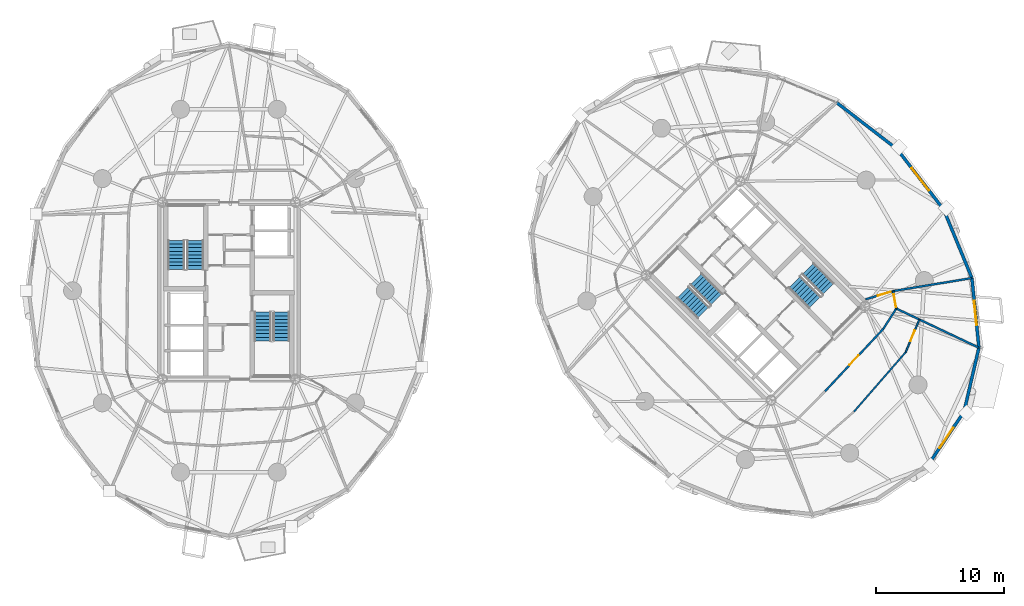
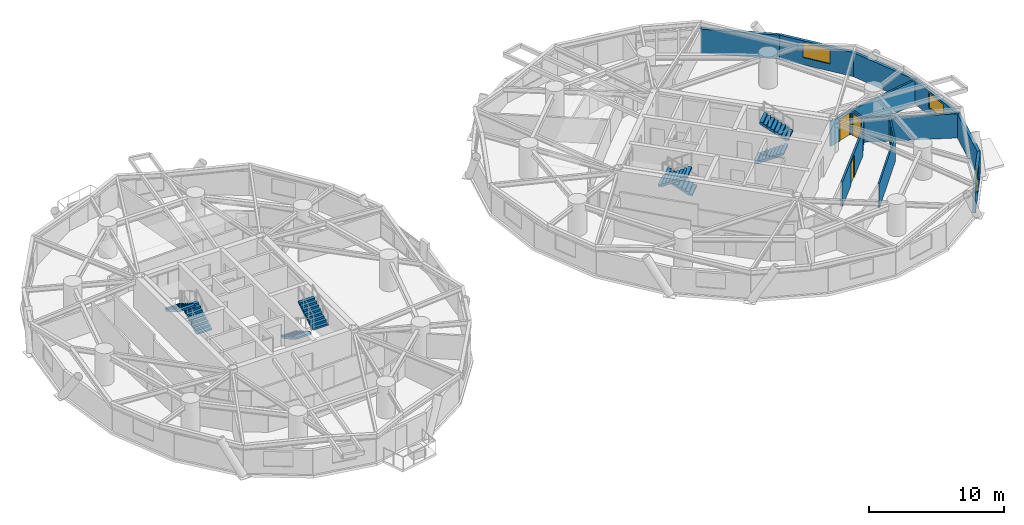
# One storey, part 15 of 18: 14 walls, 8 stair flights, 4 doors, 3 windows, 7 openings, 4 elements without a shape of their own.
"""IFC4 building model written with IfcOpenShell, lengths in metres."""

from ifc_helpers import new_model, si_unit, direction, frame, frame_2d, origin, place, context, subcontext, project, spatial, polyline, rectangle, outline, extrude, source, transform, mapped, material, layer, layer_set, type_object, element, fill, aggregate, save


model = new_model("IFC4")

# Units and contexts
model_context = context("Model", 3, precision=1e-05, world=origin(), true_north=direction((0.0, 1.0)))
body_context = subcontext(model_context, "Body", "Model", "MODEL_VIEW")
ifc_project = project(units=[si_unit("LENGTHUNIT", "METRE"), si_unit("AREAUNIT", "SQUARE_METRE"), si_unit("VOLUMEUNIT", "CUBIC_METRE"), si_unit("PLANEANGLEUNIT", "RADIAN"), si_unit("MASSUNIT", "GRAM", prefix="KILO")], contexts=[model_context])

# Site, building, storey
site_placement = place(None, origin())
site = spatial("IfcSite", under=ifc_project, at=site_placement, CompositionType="ELEMENT")
building_placement = place(site_placement, origin())
building = spatial("IfcBuilding", under=site, at=building_placement, Name="Cununo Teusaquillo Station Towers", CompositionType="ELEMENT")
storey_placement = place(building_placement, frame((0.0, 0.0, 110.889892578125)))
storey = spatial("IfcBuildingStorey", under=building, at=storey_placement, Name="L35", CompositionType="ELEMENT", Elevation=110.889892578125)

# Wall
ifc_material_1 = material(Name="Precast concrete C40/50", Category="concrete")
ifc_layer_1 = layer(ifc_material_1, 0.239990234375)
ifc_layer_set_1 = layer_set([ifc_layer_1], Name="Precast concrete C40/50")
wall_type_1 = type_object("IfcWallType", Name="WL-EXT-240", PredefinedType="SOLIDWALL", material=ifc_layer_set_1)
wall_1_placement = place(storey_placement, frame((63.811279296875, 39.145263671875, 0.0), z_axis=(0.0, 0.0, 1.0), x_axis=(0.791982052206, -0.61054437102, 0.0)))
element("IfcWall", 1, at=wall_1_placement, inside=storey, type_object=wall_type_1, Name="L35 Tower B Exterior Facade Wall C00", PredefinedType="SOLIDWALL", context=body_context, shape_type="SweptSolid", body=[
    extrude(rectangle(XDim=5.942138671875, YDim=0.239990234375, at=frame_2d((2.97119140625, 0.0))), origin(), (0.0, 0.0, 1.0), 2.17919921875),
])

# Wall, opening, window
wall_2_placement = place(storey_placement, frame((73.72900390625, 15.080078125, 0.0), z_axis=(0.0, 0.0, 1.0), x_axis=(-0.559572880421, -0.828781148131, 0.0)))
wall_2 = element("IfcWall", 2, at=wall_2_placement, inside=storey, type_object=wall_type_1, Name="L35 Tower B Exterior Facade Wall C15", PredefinedType="SOLIDWALL", context=body_context, shape_type="SweptSolid", body=[
    extrude(rectangle(XDim=4.904541015625, YDim=0.239990234375, at=frame_2d((2.4521484375, 0.0))), origin(), (0.0, 0.0, 1.0), 2.17919921875),
])
shared_shape_1 = source(origin(), body_context, "Body", "SweptSolid", [
    extrude(rectangle(XDim=1.89990234375, YDim=1.35009765625, at=frame_2d((0.949951171875, 0.675048828125))), frame((0.0, 0.1298828125, 0.0), z_axis=(0.0, -1.0, 0.0), x_axis=(1.0, 0.0, 0.0)), (0.0, 0.0, 1.0), 0.260009765625),
])
opening_1_placement = place(wall_2_placement, frame((1.501953125, 0.0, 0.64990234375)))
opening_1 = element("IfcOpeningElement", 3, at=opening_1_placement, cuts=wall_2, Name="Opening WN-02", PredefinedType="OPENING", context=body_context, shape_type="MappedRepresentation", body=[
    mapped(shared_shape_1, transform((0.0, 0.0, 0.0), x_axis=(1.0, 0.0, 0.0), y_axis=(0.0, 1.0, 0.0), z_axis=(0.0, 0.0, 1.0), scale=1.0)),
])
ifc_material_2 = material(Name="Operable acoustic tinted low-E double glazing", Category="glass")
window_type_1 = type_object("IfcWindowType", Name="WIN-OPER-1900", PartitioningType="DOUBLE_PANEL_VERTICAL", PredefinedType="WINDOW", material=ifc_material_2)
shared_shape_2 = source(origin(), body_context, "Body", "SweptSolid", [
    extrude(rectangle(XDim=1.89990234375, YDim=1.35009765625, at=frame_2d((0.949951171875, 0.675048828125))), frame((0.0, 0.030029296875, 0.0), z_axis=(0.0, -1.0, 0.0), x_axis=(1.0, 0.0, 0.0)), (0.0, 0.0, 1.0), 0.06005859375),
])
window_1_placement = place(opening_1_placement, origin())
window_1 = element("IfcWindow", 4, at=window_1_placement, inside=storey, type_object=window_type_1, Name="L35 Tower B Facade Window C15", OverallHeight=1.35009765625, OverallWidth=1.89990234375, PartitioningType="DOUBLE_PANEL_VERTICAL", PredefinedType="WINDOW", context=body_context, shape_type="MappedRepresentation", body=[
    mapped(shared_shape_2, transform((0.0, 0.0, 0.0), x_axis=(1.0, 0.0, 0.0), y_axis=(0.0, 1.0, 0.0), z_axis=(0.0, 0.0, 1.0), scale=1.0)),
])
fill(opening_1, window_1)

# Wall
wall_3_placement = place(storey_placement, frame((74.885009765625, 20.066650390625, 0.0), z_axis=(0.0, 0.0, 1.0), x_axis=(-0.225834725257, -0.974165631126, 0.0)))
element("IfcWall", 5, at=wall_3_placement, inside=storey, type_object=wall_type_1, Name="L35 Tower B Exterior Facade Wall C16", PredefinedType="SOLIDWALL", context=body_context, shape_type="SweptSolid", body=[
    extrude(rectangle(XDim=5.118896484375, YDim=0.239990234375, at=frame_2d((2.5595703125, 0.0))), origin(), (0.0, 0.0, 1.0), 2.17919921875),
])

# Wall, opening, window
wall_4_placement = place(storey_placement, frame((74.33935546875, 25.4873046875, 0.0), z_axis=(0.0, 0.0, 1.0), x_axis=(0.10015591906, -0.994971754311, 0.0)))
wall_4 = element("IfcWall", 6, at=wall_4_placement, inside=storey, type_object=wall_type_1, Name="L35 Tower B Exterior Facade Wall C17", PredefinedType="SOLIDWALL", context=body_context, shape_type="SweptSolid", body=[
    extrude(rectangle(XDim=5.447998046875, YDim=0.239990234375, at=frame_2d((2.72412109375, 0.0))), origin(), (0.0, 0.0, 1.0), 2.17919921875),
])
opening_2_placement = place(wall_4_placement, frame((1.77392578125, 0.0, 0.64990234375)))
opening_2 = element("IfcOpeningElement", 7, at=opening_2_placement, cuts=wall_4, Name="Opening WN-02", PredefinedType="OPENING", context=body_context, shape_type="MappedRepresentation", body=[
    mapped(shared_shape_1, transform((0.0, 0.0, 0.0), x_axis=(1.0, 0.0, 0.0), y_axis=(0.0, 1.0, 0.0), z_axis=(0.0, 0.0, 1.0), scale=1.0)),
])
window_2_placement = place(opening_2_placement, origin())
window_2 = element("IfcWindow", 8, at=window_2_placement, inside=storey, type_object=window_type_1, Name="L35 Tower B Facade Window C17", OverallHeight=1.35009765625, OverallWidth=1.89990234375, PartitioningType="DOUBLE_PANEL_VERTICAL", PredefinedType="WINDOW", context=body_context, shape_type="MappedRepresentation", body=[
    mapped(shared_shape_2, transform((0.0, 0.0, 0.0), x_axis=(1.0, 0.0, 0.0), y_axis=(0.0, 1.0, 0.0), z_axis=(0.0, 0.0, 1.0), scale=1.0)),
])
fill(opening_2, window_2)

# Wall
wall_5_placement = place(storey_placement, frame((72.145263671875, 30.811279296875, 0.0), z_axis=(0.0, 0.0, 1.0), x_axis=(0.381027003055, -0.924563909604, 0.0)))
element("IfcWall", 9, at=wall_5_placement, inside=storey, type_object=wall_type_1, Name="L35 Tower B Exterior Facade Wall C18", PredefinedType="SOLIDWALL", context=body_context, shape_type="SweptSolid", body=[
    extrude(rectangle(XDim=5.75830078125, YDim=0.239990234375, at=frame_2d((2.879150390625, 0.0))), origin(), (0.0, 0.0, 1.0), 2.17919921875),
])

# Wall, opening, window
wall_6_placement = place(storey_placement, frame((68.517333984375, 35.517333984375, 0.0), z_axis=(0.0, 0.0, 1.0), x_axis=(0.61054437102, -0.791982052206, 0.0)))
wall_6 = element("IfcWall", 10, at=wall_6_placement, inside=storey, type_object=wall_type_1, Name="L35 Tower B Exterior Facade Wall C19", PredefinedType="SOLIDWALL", context=body_context, shape_type="SweptSolid", body=[
    extrude(rectangle(XDim=5.942138671875, YDim=0.239990234375, at=frame_2d((2.97119140625, 0.0))), origin(), (0.0, 0.0, 1.0), 2.17919921875),
])
shared_shape_3 = source(origin(), body_context, "Body", "SweptSolid", [
    extrude(rectangle(XDim=2.199951171875, YDim=1.35009765625, at=frame_2d((1.10009765625, 0.675048828125))), frame((0.0, 0.1298828125, 0.0), z_axis=(0.0, -1.0, 0.0), x_axis=(1.0, 0.0, 0.0)), (0.0, 0.0, 1.0), 0.260009765625),
])
opening_3_placement = place(wall_6_placement, frame((1.87109375, 0.0, 0.64990234375)))
opening_3 = element("IfcOpeningElement", 11, at=opening_3_placement, cuts=wall_6, Name="Opening WN-01", PredefinedType="OPENING", context=body_context, shape_type="MappedRepresentation", body=[
    mapped(shared_shape_3, transform((0.0, 0.0, 0.0), x_axis=(1.0, 0.0, 0.0), y_axis=(0.0, 1.0, 0.0), z_axis=(0.0, 0.0, 1.0), scale=1.0)),
])
ifc_material_3 = material(Name="Ceramic-fritted dark low-E double glazing", Category="glass")
window_type_2 = type_object("IfcWindowType", Name="WIN-FRIT-2200", PartitioningType="DOUBLE_PANEL_VERTICAL", PredefinedType="WINDOW", material=ifc_material_3)
shared_shape_4 = source(origin(), body_context, "Body", "SweptSolid", [
    extrude(rectangle(XDim=2.199951171875, YDim=1.35009765625, at=frame_2d((1.10009765625, 0.675048828125))), frame((0.0, 0.030029296875, 0.0), z_axis=(0.0, -1.0, 0.0), x_axis=(1.0, 0.0, 0.0)), (0.0, 0.0, 1.0), 0.06005859375),
])
window_3_placement = place(opening_3_placement, origin())
window_3 = element("IfcWindow", 12, at=window_3_placement, inside=storey, type_object=window_type_2, Name="L35 Tower B Facade Window C19", OverallHeight=1.35009765625, OverallWidth=2.199951171875, PartitioningType="DOUBLE_PANEL_VERTICAL", PredefinedType="WINDOW", context=body_context, shape_type="MappedRepresentation", body=[
    mapped(shared_shape_4, transform((0.0, 0.0, 0.0), x_axis=(1.0, 0.0, 0.0), y_axis=(0.0, 1.0, 0.0), z_axis=(0.0, 0.0, 1.0), scale=1.0)),
])
fill(opening_3, window_3)

# Wall
ifc_material_4 = material(Name="Fire-rated gypsum plasterboard partition assembly", Category="gypsum")
ifc_layer_2 = layer(ifc_material_4, 0.125)
ifc_layer_set_2 = layer_set([ifc_layer_2], Name="Fire-rated gypsum plasterboard partition assembly")
wall_type_2 = type_object("IfcWallType", Name="WL-PART-125", PredefinedType="PARTITIONING", material=ifc_layer_set_2)
wall_7_placement = place(storey_placement, frame((65.16162109375, 15.088134765625, 0.0), z_axis=(0.0, 0.0, 1.0), x_axis=(0.656379509785, 0.754430871011, 0.0)))
element("IfcWall", 13, at=wall_7_placement, inside=storey, type_object=wall_type_2, Name="L35 Tower B Cultural Attache Workplace Concentric Partition Wall C15", PredefinedType="PARTITIONING", context=body_context, shape_type="SweptSolid", body=[
    extrude(rectangle(XDim=6.14013671875, YDim=0.125, at=frame_2d((3.070068359375, 0.0))), origin(), (0.0, 0.0, 1.0), 2.22509765625),
])

# Wall, opening, door
wall_8_placement = place(storey_placement, frame((69.19189453125, 19.720458984375, 0.0), z_axis=(0.0, 0.0, 1.0), x_axis=(0.384899070029, 0.922958669655, 0.0)))
wall_8 = element("IfcWall", 14, at=wall_8_placement, inside=storey, type_object=wall_type_2, Name="L35 Tower B Cultural Attache Workplace Concentric Partition Wall C16", PredefinedType="PARTITIONING", context=body_context, shape_type="SweptSolid", body=[
    extrude(rectangle(XDim=2.749755859375, YDim=0.125, at=frame_2d((1.375, 0.0))), origin(), (0.0, 0.0, 1.0), 2.17919921875),
])
shared_shape_5 = source(origin(), body_context, "Body", "SweptSolid", [
    extrude(rectangle(XDim=0.89990234375, YDim=2.0048828125, at=frame_2d((0.449951171875, 1.00244140625))), frame((0.0, 0.072509765625, 0.0), z_axis=(0.0, -1.0, 0.0), x_axis=(1.0, 0.0, 0.0)), (0.0, 0.0, 1.0), 0.14501953125),
])
opening_4_placement = place(wall_8_placement, frame((0.9248046875, 0.0, 0.0)))
opening_4 = element("IfcOpeningElement", 15, at=opening_4_placement, cuts=wall_8, Name="Opening D-IN1", PredefinedType="OPENING", context=body_context, shape_type="MappedRepresentation", body=[
    mapped(shared_shape_5, transform((0.0, 0.0, 0.0), x_axis=(1.0, 0.0, 0.0), y_axis=(0.0, 1.0, 0.0), z_axis=(0.0, 0.0, 1.0), scale=1.0)),
])
ifc_material_5 = material(Name="Acoustic solid-core hardwood leaf assembly", Category="wood")
door_type_1 = type_object("IfcDoorType", Name="DR-INT-900", OperationType="NOTDEFINED", PredefinedType="DOOR", material=ifc_material_5)
shared_shape_6 = source(origin(), body_context, "Body", "SweptSolid", [
    extrude(rectangle(XDim=0.89990234375, YDim=2.0048828125, at=frame_2d((0.449951171875, 1.00244140625))), frame((0.0, 0.02490234375, 0.0), z_axis=(0.0, -1.0, 0.0), x_axis=(1.0, 0.0, 0.0)), (0.0, 0.0, 1.0), 0.050048828125),
])
door_1_placement = place(opening_4_placement, origin())
door_1 = element("IfcDoor", 16, at=door_1_placement, inside=storey, type_object=door_type_1, Name="L35 Tower B Cultural Attache Workplace Connecting Door", OperationType="SINGLE_SWING_RIGHT", OverallHeight=2.0048828125, OverallWidth=0.89990234375, PredefinedType="DOOR", context=body_context, shape_type="MappedRepresentation", body=[
    mapped(shared_shape_6, transform((0.0, 0.0, 0.0), x_axis=(1.0, 0.0, 0.0), y_axis=(0.0, 1.0, 0.0), z_axis=(0.0, 0.0, 1.0), scale=1.0)),
])
fill(opening_4, door_1)

ifc_material_6 = material(Name="Fire-rated gypsum plasterboard partition assembly", Category="gypsum")
ifc_layer_3 = layer(ifc_material_6, 0.14990234375)
ifc_layer_set_3 = layer_set([ifc_layer_3], Name="Fire-rated gypsum plasterboard partition assembly")
wall_type_3 = type_object("IfcWallType", Name="WL-PART-150", PredefinedType="PARTITIONING", material=ifc_layer_set_3)
wall_9_placement = place(storey_placement, frame((62.902587890625, 16.66650390625, 0.0), z_axis=(0.0, 0.0, 1.0), x_axis=(0.682371947497, 0.731005147225, 0.0)))
wall_9 = element("IfcWall", 17, at=wall_9_placement, inside=storey, type_object=wall_type_3, Name="L35 Tower B Corridor Ring Wall C15", PredefinedType="PARTITIONING", context=body_context, shape_type="SweptSolid", body=[
    extrude(rectangle(XDim=6.6416015625, YDim=0.14990234375, at=frame_2d((3.32080078125, 0.0))), origin(), (0.0, 0.0, 1.0), 2.22509765625),
])
shared_shape_7 = source(origin(), body_context, "Body", "SweptSolid", [
    extrude(rectangle(XDim=1.050048828125, YDim=2.014892578125, at=frame_2d((0.52490234375, 1.00732421875))), frame((0.0, 0.0849609375, 0.0), z_axis=(0.0, -1.0, 0.0), x_axis=(1.0, 0.0, 0.0)), (0.0, 0.0, 1.0), 0.169921875),
])
opening_5_placement = place(wall_9_placement, frame((2.7958984375, 0.0, 0.0)))
opening_5 = element("IfcOpeningElement", 18, at=opening_5_placement, cuts=wall_9, Name="Opening D-SU1", PredefinedType="OPENING", context=body_context, shape_type="MappedRepresentation", body=[
    mapped(shared_shape_7, transform((0.0, 0.0, 0.0), x_axis=(1.0, 0.0, 0.0), y_axis=(0.0, 1.0, 0.0), z_axis=(0.0, 0.0, 1.0), scale=1.0)),
])
ifc_material_7 = material(Name="Acoustic solid-core hardwood leaf assembly", Category="wood")
door_type_2 = type_object("IfcDoorType", Name="DR-SUITE-1050", OperationType="NOTDEFINED", PredefinedType="DOOR", material=ifc_material_7)
shared_shape_8 = source(origin(), body_context, "Body", "SweptSolid", [
    extrude(rectangle(XDim=1.050048828125, YDim=2.014892578125, at=frame_2d((0.52490234375, 1.00732421875))), frame((0.0, 0.02490234375, 0.0), z_axis=(0.0, -1.0, 0.0), x_axis=(1.0, 0.0, 0.0)), (0.0, 0.0, 1.0), 0.050048828125),
])
door_2_placement = place(opening_5_placement, origin())
door_2 = element("IfcDoor", 19, at=door_2_placement, inside=storey, type_object=door_type_2, Name="L35 Tower B Cultural Attache Workplace Entrance Door", OperationType="SINGLE_SWING_LEFT", OverallHeight=2.014892578125, OverallWidth=1.050048828125, PredefinedType="DOOR", context=body_context, shape_type="MappedRepresentation", body=[
    mapped(shared_shape_8, transform((0.0, 0.0, 0.0), x_axis=(1.0, 0.0, 0.0), y_axis=(0.0, 1.0, 0.0), z_axis=(0.0, 0.0, 1.0), scale=1.0)),
])
fill(opening_5, door_2)

# Wall
wall_10_placement = place(storey_placement, frame((67.4345703125, 21.521484375, 0.0), z_axis=(0.0, 0.0, 1.0), x_axis=(0.540777197838, 0.841165870859, 0.0)))
element("IfcWall", 20, at=wall_10_placement, inside=storey, type_object=wall_type_3, Name="L35 Tower B Corridor Ring Wall C16", PredefinedType="PARTITIONING", context=body_context, shape_type="SweptSolid", body=[
    extrude(rectangle(XDim=1.887939453125, YDim=0.14990234375, at=frame_2d((0.94384765625, 0.0))), origin(), (0.0, 0.0, 1.0), 2.22509765625),
])

# Wall, opening, door
wall_11_placement = place(storey_placement, frame((68.45556640625, 23.109619140625, 0.0), z_axis=(0.0, 0.0, 1.0), x_axis=(-0.1772522795, 0.984165448191, 0.0)))
wall_11 = element("IfcWall", 21, at=wall_11_placement, inside=storey, type_object=wall_type_3, Name="L35 Tower B Corridor Ring Wall C17", PredefinedType="PARTITIONING", context=body_context, shape_type="SweptSolid", body=[
    extrude(rectangle(XDim=1.381591796875, YDim=0.14990234375, at=frame_2d((0.69091796875, 0.0))), origin(), (0.0, 0.0, 1.0), 2.22509765625),
])
shared_shape_9 = source(origin(), body_context, "Body", "SweptSolid", [
    extrude(rectangle(XDim=1.0, YDim=2.014892578125, at=frame_2d((0.5, 1.00732421875))), frame((0.0, 0.0849609375, 0.0), z_axis=(0.0, -1.0, 0.0), x_axis=(1.0, 0.0, 0.0)), (0.0, 0.0, 1.0), 0.169921875),
])
opening_6_placement = place(wall_11_placement, frame((0.1201171875, 0.0, 0.0)))
opening_6 = element("IfcOpeningElement", 22, at=opening_6_placement, cuts=wall_11, Name="Opening D-AC1", PredefinedType="OPENING", context=body_context, shape_type="MappedRepresentation", body=[
    mapped(shared_shape_9, transform((0.0, 0.0, 0.0), x_axis=(1.0, 0.0, 0.0), y_axis=(0.0, 1.0, 0.0), z_axis=(0.0, 0.0, 1.0), scale=1.0)),
])
ifc_material_8 = material(Name="Acoustic solid-core hardwood leaf assembly", Category="wood")
door_type_3 = type_object("IfcDoorType", Name="DR-ACC-1000", OperationType="NOTDEFINED", PredefinedType="DOOR", material=ifc_material_8)
shared_shape_10 = source(origin(), body_context, "Body", "SweptSolid", [
    extrude(rectangle(XDim=1.0, YDim=2.014892578125, at=frame_2d((0.5, 1.00732421875))), frame((0.0, 0.02490234375, 0.0), z_axis=(0.0, -1.0, 0.0), x_axis=(1.0, 0.0, 0.0)), (0.0, 0.0, 1.0), 0.050048828125),
])
door_3_placement = place(opening_6_placement, origin())
door_3 = element("IfcDoor", 23, at=door_3_placement, inside=storey, type_object=door_type_3, Name="L35 Tower B Public Accessible Restroom WC Entrance Door", OperationType="SINGLE_SWING_LEFT", OverallHeight=2.014892578125, OverallWidth=1.0, PredefinedType="DOOR", context=body_context, shape_type="MappedRepresentation", body=[
    mapped(shared_shape_10, transform((0.0, 0.0, 0.0), x_axis=(1.0, 0.0, 0.0), y_axis=(0.0, 1.0, 0.0), z_axis=(0.0, 0.0, 1.0), scale=1.0)),
])
fill(opening_6, door_3)

# Walls
ifc_material_9 = material(Name="Fire-rated gypsum plasterboard partition assembly", Category="gypsum")
ifc_layer_4 = layer(ifc_material_9, 0.159912109375)
ifc_layer_set_4 = layer_set([ifc_layer_4], Name="Fire-rated gypsum plasterboard partition assembly")
wall_type_4 = type_object("IfcWallType", Name="WL-PART-160", PredefinedType="PARTITIONING", material=ifc_layer_set_4)
wall_12_placement = place(storey_placement, frame((68.45556640625, 23.109619140625, 0.0), z_axis=(0.0, 0.0, 1.0), x_axis=(0.903539425667, -0.428504966442, 0.0)))
element("IfcWall", 24, at=wall_12_placement, inside=storey, type_object=wall_type_4, Name="L35 Tower B Radial Suite Partition R06", PredefinedType="PARTITIONING", context=body_context, shape_type="SweptSolid", body=[
    extrude(rectangle(XDim=7.093994140625, YDim=0.159912109375, at=frame_2d((3.546875, 0.0))), origin(), (0.0, 0.0, 1.0), 2.17919921875),
])
wall_13_placement = place(storey_placement, frame((68.210693359375, 24.46923828125, 0.0), z_axis=(0.0, 0.0, 1.0), x_axis=(0.986479033329, 0.163887512651, 0.0)))
element("IfcWall", 25, at=wall_13_placement, inside=storey, type_object=wall_type_4, Name="L35 Tower B Radial Suite Partition R07", PredefinedType="PARTITIONING", context=body_context, shape_type="SweptSolid", body=[
    extrude(rectangle(XDim=6.192626953125, YDim=0.159912109375, at=frame_2d((3.09619140625, 0.0))), origin(), (0.0, 0.0, 1.0), 2.17919921875),
])

# Wall, opening, door
wall_14_placement = place(storey_placement, frame((66.055908203125, 23.828125, 0.0), z_axis=(0.0, 0.0, 1.0), x_axis=(0.958475403544, 0.285175210708, 0.0)))
wall_14 = element("IfcWall", 26, at=wall_14_placement, inside=storey, type_object=wall_type_4, Name="L35 Tower B East Salon Corridor Portal Wall SE", PredefinedType="PARTITIONING", context=body_context, shape_type="SweptSolid", body=[
    extrude(rectangle(XDim=2.248046875, YDim=0.159912109375, at=frame_2d((1.1240234375, 0.0))), origin(), (0.0, 0.0, 1.0), 2.22509765625),
])
shared_shape_11 = source(origin(), body_context, "Body", "SweptSolid", [
    extrude(rectangle(XDim=1.050048828125, YDim=2.014892578125, at=frame_2d((0.52490234375, 1.00732421875))), frame((0.0, 0.08984375, 0.0), z_axis=(0.0, -1.0, 0.0), x_axis=(1.0, 0.0, 0.0)), (0.0, 0.0, 1.0), 0.179931640625),
])
opening_7_placement = place(wall_14_placement, frame((0.998046875, 0.0, 0.0)))
opening_7 = element("IfcOpeningElement", 27, at=opening_7_placement, cuts=wall_14, Name="Opening D-SU1", PredefinedType="OPENING", context=body_context, shape_type="MappedRepresentation", body=[
    mapped(shared_shape_11, transform((0.0, 0.0, 0.0), x_axis=(1.0, 0.0, 0.0), y_axis=(0.0, 1.0, 0.0), z_axis=(0.0, 0.0, 1.0), scale=1.0)),
])
door_4_placement = place(opening_7_placement, origin())
door_4 = element("IfcDoor", 28, at=door_4_placement, inside=storey, type_object=door_type_2, Name="L35 Tower B East Panorama Sky Salon Door SE", OperationType="SINGLE_SWING_LEFT", OverallHeight=2.014892578125, OverallWidth=1.050048828125, PredefinedType="DOOR", context=body_context, shape_type="MappedRepresentation", body=[
    mapped(shared_shape_8, transform((0.0, 0.0, 0.0), x_axis=(1.0, 0.0, 0.0), y_axis=(0.0, 1.0, 0.0), z_axis=(0.0, 0.0, 1.0), scale=1.0)),
])
fill(opening_7, door_4)

# Stair, stair flights
ifc_material_10 = material(Name="Concrete C50/60", Category="concrete")
stair_type = type_object("IfcStairType", Name="ST-TWR-1300", PredefinedType="HALF_TURN_STAIR", material=ifc_material_10)
stair_1_placement = place(storey_placement, origin())
stair_1 = element("IfcStair", 29, at=stair_1_placement, inside=storey, type_object=stair_type, Name="L35 Tower A Protected Core Exit Stair 1", PredefinedType="HALF_TURN_STAIR")
ifc_material_11 = material(Name="Concrete C50/60", Category="concrete")
stair_flight_type = type_object("IfcStairFlightType", Name="SFL-TWR-1300", PredefinedType="STRAIGHT", material=ifc_material_11)
stair_flight_1_placement = place(storey_placement, frame((13.8701171875, 26.169921875, 0.0), z_axis=(0.0, 0.0, 1.0), x_axis=(0.0, 1.0, 0.0)))
stair_flight_1 = element("IfcStairFlight", 30, at=stair_flight_1_placement, type_object=stair_flight_type, Name="ST-T1-1 flight 1", NumberOfRisers=9, NumberOfTreads=8, PredefinedType="STRAIGHT", RiserHeight=0.161666667, TreadLength=0.28, context=body_context, shape_type="SweptSolid", body=[
    extrude(outline(polyline([(0.0, 0.0), (0.0, 0.16162109375), (0.280029296875, 0.16162109375), (0.280029296875, 0.3232421875), (0.56005859375, 0.3232421875), (0.56005859375, 0.485107421875), (0.840087890625, 0.485107421875), (0.840087890625, 0.646728515625), (1.1201171875, 0.646728515625), (1.1201171875, 0.808349609375), (1.39990234375, 0.808349609375), (1.39990234375, 0.969970703125), (1.679931640625, 0.969970703125), (1.679931640625, 1.131591796875), (1.9599609375, 1.131591796875), (1.9599609375, 1.293212890625), (2.239990234375, 1.293212890625), (2.239990234375, 1.455078125), (2.239990234375, 1.1201171875), (0.2998046875, 0.0), (0.0, 0.0)])), frame((0.0, 0.64990234375, 0.0), z_axis=(0.0, -1.0, 0.0), x_axis=(1.0, 0.0, 0.0)), (0.0, 0.0, 1.0), 1.300048828125),
])
stair_flight_2_placement = place(storey_placement, frame((12.409912109375, 28.409912109375, 1.455078125), z_axis=(0.0, 0.0, 1.0), x_axis=(0.0, -1.0, 0.0)))
stair_flight_2 = element("IfcStairFlight", 31, at=stair_flight_2_placement, type_object=stair_flight_type, Name="ST-T1-1 flight 2", NumberOfRisers=9, NumberOfTreads=8, PredefinedType="STRAIGHT", RiserHeight=0.161666667, TreadLength=0.28, context=body_context, shape_type="SweptSolid", body=[
    extrude(outline(polyline([(0.0, 0.0), (0.0, 0.16162109375), (0.280029296875, 0.16162109375), (0.280029296875, 0.3232421875), (0.56005859375, 0.3232421875), (0.56005859375, 0.485107421875), (0.840087890625, 0.485107421875), (0.840087890625, 0.646728515625), (1.1201171875, 0.646728515625), (1.1201171875, 0.808349609375), (1.39990234375, 0.808349609375), (1.39990234375, 0.969970703125), (1.679931640625, 0.969970703125), (1.679931640625, 1.131591796875), (1.9599609375, 1.131591796875), (1.9599609375, 1.293212890625), (2.239990234375, 1.293212890625), (2.239990234375, 1.455078125), (2.239990234375, 1.1201171875), (0.2998046875, 0.0), (0.0, 0.0)])), frame((0.0, 0.64990234375, 0.0), z_axis=(0.0, -1.0, 0.0), x_axis=(1.0, 0.0, 0.0)), (0.0, 0.0, 1.0), 1.300048828125),
])
aggregate(stair_1, [stair_flight_1, stair_flight_2])

stair_2_placement = place(storey_placement, origin())
stair_2 = element("IfcStair", 32, at=stair_2_placement, inside=storey, type_object=stair_type, Name="L35 Tower A Protected Core Exit Stair 2", PredefinedType="HALF_TURN_STAIR")
stair_flight_3_placement = place(storey_placement, frame((19.1298828125, 22.830078125, 0.0), z_axis=(0.0, 0.0, 1.0), x_axis=(0.0, -1.0, 0.0)))
stair_flight_3 = element("IfcStairFlight", 33, at=stair_flight_3_placement, type_object=stair_flight_type, Name="ST-T1-2 flight 1", NumberOfRisers=9, NumberOfTreads=8, PredefinedType="STRAIGHT", RiserHeight=0.161666667, TreadLength=0.28, context=body_context, shape_type="SweptSolid", body=[
    extrude(outline(polyline([(0.0, 0.0), (0.0, 0.16162109375), (0.280029296875, 0.16162109375), (0.280029296875, 0.3232421875), (0.56005859375, 0.3232421875), (0.56005859375, 0.485107421875), (0.840087890625, 0.485107421875), (0.840087890625, 0.646728515625), (1.1201171875, 0.646728515625), (1.1201171875, 0.808349609375), (1.39990234375, 0.808349609375), (1.39990234375, 0.969970703125), (1.679931640625, 0.969970703125), (1.679931640625, 1.131591796875), (1.9599609375, 1.131591796875), (1.9599609375, 1.293212890625), (2.239990234375, 1.293212890625), (2.239990234375, 1.455078125), (2.239990234375, 1.1201171875), (0.2998046875, 0.0), (0.0, 0.0)])), frame((0.0, 0.64990234375, 0.0), z_axis=(0.0, -1.0, 0.0), x_axis=(1.0, 0.0, 0.0)), (0.0, 0.0, 1.0), 1.300048828125),
])
stair_flight_4_placement = place(storey_placement, frame((20.590087890625, 20.590087890625, 1.455078125), z_axis=(0.0, 0.0, 1.0), x_axis=(0.0, 1.0, 0.0)))
stair_flight_4 = element("IfcStairFlight", 34, at=stair_flight_4_placement, type_object=stair_flight_type, Name="ST-T1-2 flight 2", NumberOfRisers=9, NumberOfTreads=8, PredefinedType="STRAIGHT", RiserHeight=0.161666667, TreadLength=0.28, context=body_context, shape_type="SweptSolid", body=[
    extrude(outline(polyline([(0.0, 0.0), (0.0, 0.16162109375), (0.280029296875, 0.16162109375), (0.280029296875, 0.3232421875), (0.56005859375, 0.3232421875), (0.56005859375, 0.485107421875), (0.840087890625, 0.485107421875), (0.840087890625, 0.646728515625), (1.1201171875, 0.646728515625), (1.1201171875, 0.808349609375), (1.39990234375, 0.808349609375), (1.39990234375, 0.969970703125), (1.679931640625, 0.969970703125), (1.679931640625, 1.131591796875), (1.9599609375, 1.131591796875), (1.9599609375, 1.293212890625), (2.239990234375, 1.293212890625), (2.239990234375, 1.455078125), (2.239990234375, 1.1201171875), (0.2998046875, 0.0), (0.0, 0.0)])), frame((0.0, 0.64990234375, 0.0), z_axis=(0.0, -1.0, 0.0), x_axis=(1.0, 0.0, 0.0)), (0.0, 0.0, 1.0), 1.300048828125),
])
aggregate(stair_2, [stair_flight_3, stair_flight_4])

stair_3_placement = place(storey_placement, origin())
stair_3 = element("IfcStair", 35, at=stair_3_placement, inside=storey, type_object=stair_type, Name="L35 Tower B Protected Core Exit Stair 1", PredefinedType="HALF_TURN_STAIR")
stair_flight_5_placement = place(storey_placement, frame((54.45947265625, 23.8212890625, 0.0), z_axis=(0.0, 0.0, 1.0), x_axis=(-0.707106781187, 0.707106781187, 0.0)))
stair_flight_5 = element("IfcStairFlight", 36, at=stair_flight_5_placement, type_object=stair_flight_type, Name="ST-T2-1 flight 1", NumberOfRisers=9, NumberOfTreads=8, PredefinedType="STRAIGHT", RiserHeight=0.161666667, TreadLength=0.28, context=body_context, shape_type="SweptSolid", body=[
    extrude(outline(polyline([(0.0, 0.0), (0.0, 0.16162109375), (0.280029296875, 0.16162109375), (0.280029296875, 0.3232421875), (0.56005859375, 0.3232421875), (0.56005859375, 0.485107421875), (0.840087890625, 0.485107421875), (0.840087890625, 0.646728515625), (1.1201171875, 0.646728515625), (1.1201171875, 0.808349609375), (1.39990234375, 0.808349609375), (1.39990234375, 0.969970703125), (1.679931640625, 0.969970703125), (1.679931640625, 1.131591796875), (1.9599609375, 1.131591796875), (1.9599609375, 1.293212890625), (2.239990234375, 1.293212890625), (2.239990234375, 1.455078125), (2.239990234375, 1.1201171875), (0.2998046875, 0.0), (0.0, 0.0)])), frame((0.0, 0.64990234375, 0.0), z_axis=(0.0, -1.0, 0.0), x_axis=(1.0, 0.0, 0.0)), (0.0, 0.0, 1.0), 1.300048828125),
])
stair_flight_6_placement = place(storey_placement, frame((51.84326171875, 24.372802734375, 1.455078125), z_axis=(0.0, 0.0, 1.0), x_axis=(0.707106781187, -0.707106781187, 0.0)))
stair_flight_6 = element("IfcStairFlight", 37, at=stair_flight_6_placement, type_object=stair_flight_type, Name="ST-T2-1 flight 2", NumberOfRisers=9, NumberOfTreads=8, PredefinedType="STRAIGHT", RiserHeight=0.161666667, TreadLength=0.28, context=body_context, shape_type="SweptSolid", body=[
    extrude(outline(polyline([(0.0, 0.0), (0.0, 0.16162109375), (0.280029296875, 0.16162109375), (0.280029296875, 0.3232421875), (0.56005859375, 0.3232421875), (0.56005859375, 0.485107421875), (0.840087890625, 0.485107421875), (0.840087890625, 0.646728515625), (1.1201171875, 0.646728515625), (1.1201171875, 0.808349609375), (1.39990234375, 0.808349609375), (1.39990234375, 0.969970703125), (1.679931640625, 0.969970703125), (1.679931640625, 1.131591796875), (1.9599609375, 1.131591796875), (1.9599609375, 1.293212890625), (2.239990234375, 1.293212890625), (2.239990234375, 1.455078125), (2.239990234375, 1.1201171875), (0.2998046875, 0.0), (0.0, 0.0)])), frame((0.0, 0.64990234375, 0.0), z_axis=(0.0, -1.0, 0.0), x_axis=(1.0, 0.0, 0.0)), (0.0, 0.0, 1.0), 1.300048828125),
])
aggregate(stair_3, [stair_flight_5, stair_flight_6])

stair_4_placement = place(storey_placement, origin())
stair_4 = element("IfcStair", 38, at=stair_4_placement, inside=storey, type_object=stair_type, Name="L35 Tower B Protected Core Exit Stair 2", PredefinedType="HALF_TURN_STAIR")
stair_flight_7_placement = place(storey_placement, frame((60.54052734375, 25.1787109375, 0.0), z_axis=(0.0, 0.0, 1.0), x_axis=(0.707106781187, -0.707106781187, 0.0)))
stair_flight_7 = element("IfcStairFlight", 39, at=stair_flight_7_placement, type_object=stair_flight_type, Name="ST-T2-2 flight 1", NumberOfRisers=9, NumberOfTreads=8, PredefinedType="STRAIGHT", RiserHeight=0.161666667, TreadLength=0.28, context=body_context, shape_type="SweptSolid", body=[
    extrude(outline(polyline([(0.0, 0.0), (0.0, 0.16162109375), (0.280029296875, 0.16162109375), (0.280029296875, 0.3232421875), (0.56005859375, 0.3232421875), (0.56005859375, 0.485107421875), (0.840087890625, 0.485107421875), (0.840087890625, 0.646728515625), (1.1201171875, 0.646728515625), (1.1201171875, 0.808349609375), (1.39990234375, 0.808349609375), (1.39990234375, 0.969970703125), (1.679931640625, 0.969970703125), (1.679931640625, 1.131591796875), (1.9599609375, 1.131591796875), (1.9599609375, 1.293212890625), (2.239990234375, 1.293212890625), (2.239990234375, 1.455078125), (2.239990234375, 1.1201171875), (0.2998046875, 0.0), (0.0, 0.0)])), frame((0.0, 0.64990234375, 0.0), z_axis=(0.0, -1.0, 0.0), x_axis=(1.0, 0.0, 0.0)), (0.0, 0.0, 1.0), 1.300048828125),
])
stair_flight_8_placement = place(storey_placement, frame((63.15673828125, 24.627197265625, 1.455078125), z_axis=(0.0, 0.0, 1.0), x_axis=(-0.707106781187, 0.707106781187, 0.0)))
stair_flight_8 = element("IfcStairFlight", 40, at=stair_flight_8_placement, type_object=stair_flight_type, Name="ST-T2-2 flight 2", NumberOfRisers=9, NumberOfTreads=8, PredefinedType="STRAIGHT", RiserHeight=0.161666667, TreadLength=0.28, context=body_context, shape_type="SweptSolid", body=[
    extrude(outline(polyline([(0.0, 0.0), (0.0, 0.16162109375), (0.280029296875, 0.16162109375), (0.280029296875, 0.3232421875), (0.56005859375, 0.3232421875), (0.56005859375, 0.485107421875), (0.840087890625, 0.485107421875), (0.840087890625, 0.646728515625), (1.1201171875, 0.646728515625), (1.1201171875, 0.808349609375), (1.39990234375, 0.808349609375), (1.39990234375, 0.969970703125), (1.679931640625, 0.969970703125), (1.679931640625, 1.131591796875), (1.9599609375, 1.131591796875), (1.9599609375, 1.293212890625), (2.239990234375, 1.293212890625), (2.239990234375, 1.455078125), (2.239990234375, 1.1201171875), (0.2998046875, 0.0), (0.0, 0.0)])), frame((0.0, 0.64990234375, 0.0), z_axis=(0.0, -1.0, 0.0), x_axis=(1.0, 0.0, 0.0)), (0.0, 0.0, 1.0), 1.300048828125),
])
aggregate(stair_4, [stair_flight_7, stair_flight_8])

save(model, "model.ifc")
